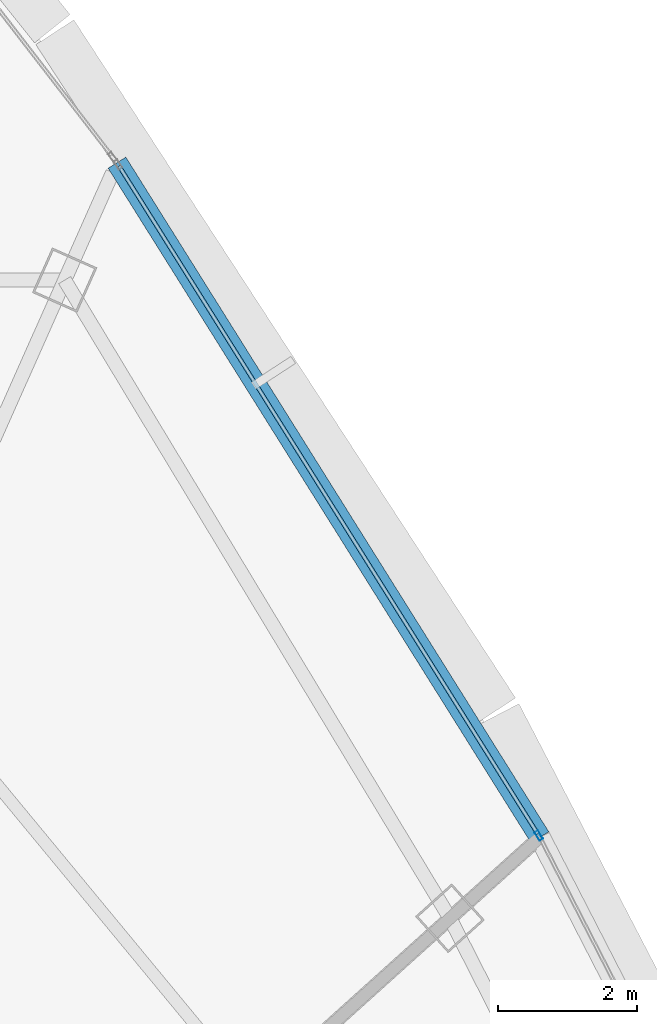
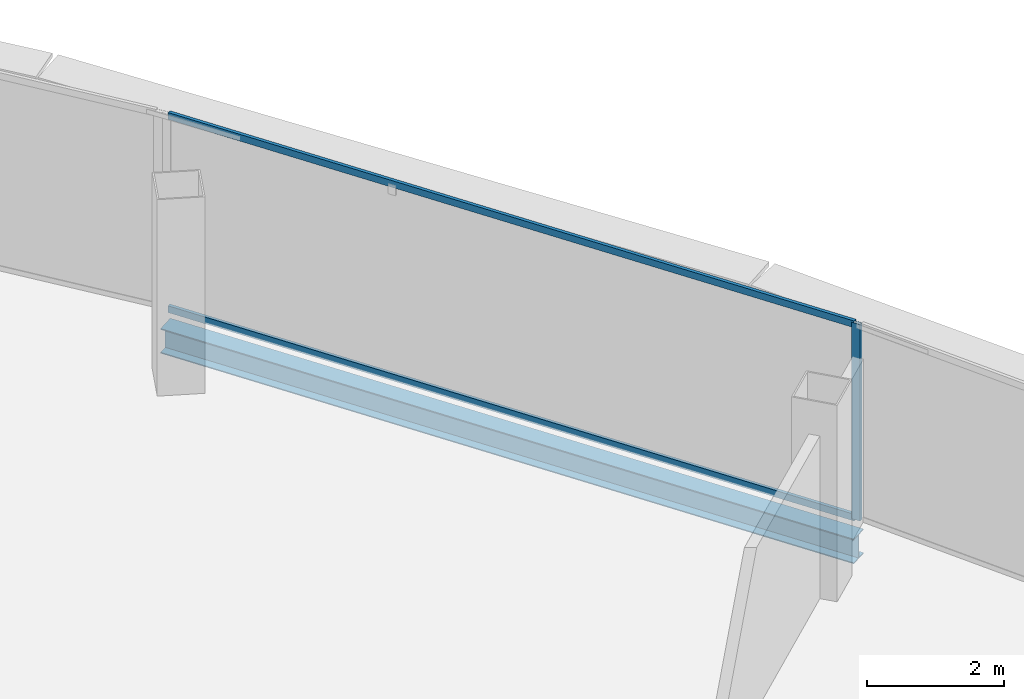
# One storey, part 14 of 29: 3 members, 1 beam, 1 element without a shape of its own.
"""IFC4 building model written with IfcOpenShell, lengths in metres."""

from ifc_helpers import new_model, si_unit, direction, frame, origin, origin_2d, place, context, subcontext, project, spatial, hollow_rectangle, i_section, extrude, source, transform, mapped, material, layer, layer_set, material_profile, profile_set, type_object, element, aggregate, save


model = new_model("IFC4")

# Units and contexts
model_context = context("Model", 3, precision=1e-05, world=origin(), true_north=direction((0.0, 1.0)))
body_context = subcontext(model_context, "Body", "Model", "MODEL_VIEW")
ifc_project = project(units=[si_unit("LENGTHUNIT", "METRE"), si_unit("AREAUNIT", "SQUARE_METRE"), si_unit("VOLUMEUNIT", "CUBIC_METRE"), si_unit("PLANEANGLEUNIT", "RADIAN"), si_unit("MASSUNIT", "GRAM", prefix="KILO"), si_unit("THERMODYNAMICTEMPERATUREUNIT", "KELVIN"), si_unit("POWERUNIT", "WATT")], contexts=[model_context])

# Site, building, storey
site_placement = place(None, origin())
site = spatial("IfcSite", under=ifc_project, at=site_placement, CompositionType="ELEMENT")
building_placement = place(site_placement, origin())
building = spatial("IfcBuilding", under=site, at=building_placement, Name="Yunzhuo Pagoda Commons", CompositionType="ELEMENT")
storey_placement = place(building_placement, frame((0.0, 0.0, 359.260009765625)))
storey = spatial("IfcBuildingStorey", under=building, at=storey_placement, Name="L90", CompositionType="ELEMENT", Elevation=359.260009765625)

# Beam
ifc_material_1 = material(Name="Structural steel Q355B", Category="steel")
ifc_material_profile_1 = material_profile(ifc_material_1, i_section(OverallWidth=0.300048828125, OverallDepth=0.43994140625, WebThickness=0.010986328125, FlangeThickness=0.01806640625, at=origin_2d()), Name="Structural steel Q355B")
ifc_profile_set_1 = profile_set([ifc_material_profile_1], Name="Structural steel Q355B")
beam_type = type_object("IfcBeamType", Name="B-SP2 Beam HM 440x300x11x18", PredefinedType="BEAM", material=ifc_profile_set_1)
shared_shape_1 = source(origin(), body_context, "Body", "SweptSolid", [
    extrude(i_section(OverallWidth=0.300048828125, OverallDepth=0.43994140625, WebThickness=0.010986328125, FlangeThickness=0.01806640625, at=origin_2d()), origin(), (0.0, 0.0, 1.0), 11.419677734375),
])
beam_placement = place(storey_placement, frame((65.314697265625, 49.2900390625, -0.47998046875), z_axis=(-0.53116107474, 0.847270861461, 0.0), x_axis=(-0.847270861461, -0.53116107474, 0.0)))
element("IfcBeam", 1, at=beam_placement, inside=storey, type_object=beam_type, Name="L90 facade edge spandrel beam F2.3", PredefinedType="BEAM", context=body_context, shape_type="MappedRepresentation", body=[
    mapped(shared_shape_1, transform((0.0, 0.0, 0.0), scale=1.0)),
])

# Curtain wall, members
ifc_material_2 = material(Name="Anodized aluminium 6063-T6", Category="aluminium")
ifc_layer = layer(ifc_material_2, 0.139892578125)
ifc_layer_set = layer_set([ifc_layer], Name="Anodized aluminium 6063-T6")
curtain_wall_type = type_object("IfcCurtainWallType", Name="CW-HI High-Zone Ribbon Curtain Wall", PredefinedType="NOTDEFINED", material=ifc_layer_set)
curtain_wall_placement = place(storey_placement, origin())
curtain_wall = element("IfcCurtainWall", 2, at=curtain_wall_placement, inside=storey, type_object=curtain_wall_type, Name="L90 curtain wall CW-L90-F2B4", PredefinedType="NOTDEFINED")
ifc_material_profile_2 = material_profile(ifc_material_2, hollow_rectangle(XDim=0.06005859375, YDim=0.139892578125, WallThickness=0.00341796875, at=origin_2d()), Name="Anodized aluminium 6063-T6")
ifc_profile_set_2 = profile_set([ifc_material_profile_2], Name="Anodized aluminium 6063-T6")
member_type_1 = type_object("IfcMemberType", Name="CW-HI-M Mullion RHS 140x60x3.5", PredefinedType="MULLION", material=ifc_profile_set_2)
shared_shape_2 = source(origin(), body_context, "Body", "SweptSolid", [
    extrude(hollow_rectangle(XDim=0.06005859375, YDim=0.139892578125, WallThickness=0.00341796875, at=origin_2d()), origin(), (0.0, 0.0, 1.0), 3.489990234375),
])
member_1_placement = place(storey_placement, frame((65.298583984375, 49.3154296875, 0.0), z_axis=(0.0, 0.0, 1.0), x_axis=(-0.847272854146, -0.531157896135, 0.0)))
member_1 = element("IfcMember", 3, at=member_1_placement, type_object=member_type_1, Name="CW mullion 1", PredefinedType="MULLION", context=body_context, shape_type="MappedRepresentation", body=[
    mapped(shared_shape_2, transform((0.0, 0.0, 0.0), scale=1.0)),
])
ifc_material_profile_3 = material_profile(ifc_material_2, hollow_rectangle(XDim=0.054931640625, YDim=0.1201171875, WallThickness=0.00341796875, at=origin_2d()), Name="Anodized aluminium 6063-T6")
ifc_profile_set_3 = profile_set([ifc_material_profile_3], Name="Anodized aluminium 6063-T6")
member_type_2 = type_object("IfcMemberType", Name="CW-HI-T Transom RHS 120x55x3.5", PredefinedType="USERDEFINED", material=ifc_profile_set_3)
shared_shape_3 = source(origin(), body_context, "Body", "SweptSolid", [
    extrude(hollow_rectangle(XDim=0.054931640625, YDim=0.1201171875, WallThickness=0.00341796875, at=origin_2d()), origin(), (0.0, 0.0, 1.0), 11.2998046875),
])
member_2_placement = place(storey_placement, frame((65.28271484375, 49.3408203125, 0.027587890625), z_axis=(-0.531157876903, 0.847272866203, 0.0), x_axis=(-0.847272866203, -0.531157876903, 0.0)))
member_2 = element("IfcMember", 4, at=member_2_placement, type_object=member_type_2, Name="CW transom 1.1", ObjectType="TRANSOM", PredefinedType="USERDEFINED", context=body_context, shape_type="MappedRepresentation", body=[
    mapped(shared_shape_3, transform((0.0, 0.0, 0.0), scale=1.0)),
])
member_3_placement = place(storey_placement, frame((65.28271484375, 49.3408203125, 3.46240234375), z_axis=(-0.531157876903, 0.847272866203, 0.0), x_axis=(-0.847272866203, -0.531157876903, 0.0)))
member_3 = element("IfcMember", 5, at=member_3_placement, type_object=member_type_2, Name="CW transom 1.2", ObjectType="TRANSOM", PredefinedType="USERDEFINED", context=body_context, shape_type="MappedRepresentation", body=[
    mapped(shared_shape_3, transform((0.0, 0.0, 0.0), scale=1.0)),
])
aggregate(curtain_wall, [member_1, member_2, member_3])

save(model, "model.ifc")
